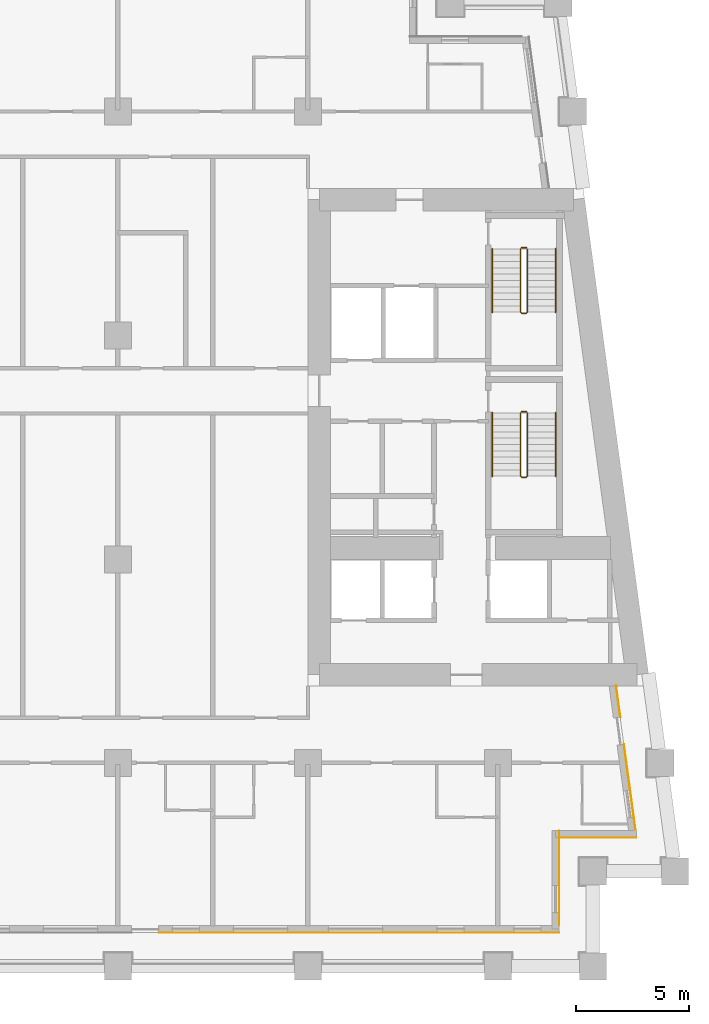
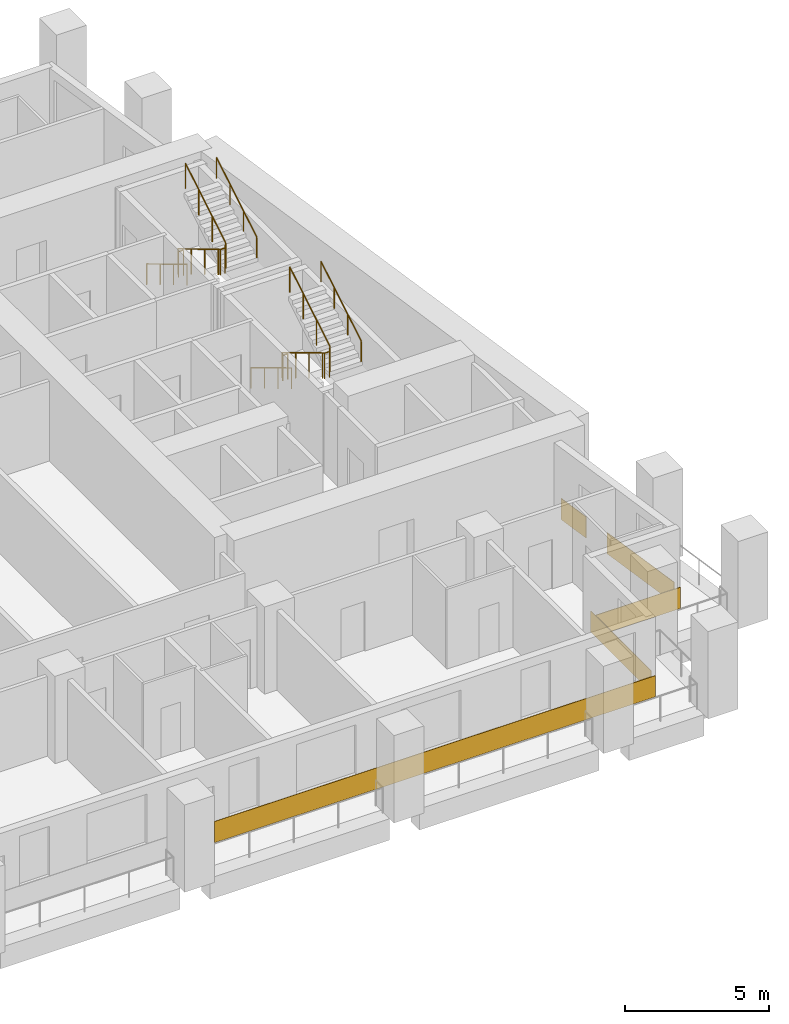
# One storey, part 11 of 13: 8 railings, 5 coverings.
"""IFC4 building model written with IfcOpenShell, lengths in metres."""

from ifc_helpers import new_model, si_unit, direction, frame, origin, origin_2d, place, context, subcontext, project, spatial, rectangle, circle, extrude, material, layer, layer_set, type_object, element, save


model = new_model("IFC4")

# Units and contexts
model_context = context("Model", 3, precision=1e-05, world=origin(), true_north=direction((0.0, 1.0)))
body_context = subcontext(model_context, "Body", "Model", "MODEL_VIEW")
ifc_project = project(units=[si_unit("LENGTHUNIT", "METRE"), si_unit("AREAUNIT", "SQUARE_METRE"), si_unit("VOLUMEUNIT", "CUBIC_METRE"), si_unit("PLANEANGLEUNIT", "RADIAN"), si_unit("MASSUNIT", "GRAM", prefix="KILO")], contexts=[model_context])

# Site, building, storey
site_placement = place(None, origin())
site = spatial("IfcSite", under=ifc_project, at=site_placement, CompositionType="ELEMENT")
building_placement = place(site_placement, origin())
building = spatial("IfcBuilding", under=site, at=building_placement, Name="Candeia Pilgrim Tower and Theatre", CompositionType="ELEMENT")
storey_placement = place(building_placement, frame((0.0, 0.0, 105.800048828125)))
storey = spatial("IfcBuildingStorey", under=building, at=storey_placement, Name="L24", CompositionType="ELEMENT", Elevation=105.800048828125)

# Coverings
ifc_material_1 = material(Name="Glazed ceramic tile red")
ifc_layer = layer(ifc_material_1, 0.02001953125)
ifc_layer_set = layer_set([ifc_layer], Name="Glazed ceramic tile red")
covering_type = type_object("IfcCoveringType", Name="Glazed ceramic tile red", PredefinedType="CLADDING", material=ifc_layer_set)
covering_1_placement = place(storey_placement, frame((128.25, 99.489990234375, 0.0), z_axis=(0.0, 0.0, 1.0), x_axis=(1.0, 0.0, 0.0)))
element("IfcCovering", 1, at=covering_1_placement, inside=storey, type_object=covering_type, Name="Tile cladding red L24", PredefinedType="CLADDING", context=body_context, shape_type="SweptSolid", body=[
    extrude(rectangle(XDim=17.699951171875, YDim=0.02001953125, at=origin_2d()), origin(), (0.0, 0.0, 1.0), 0.89990234375),
])
covering_2_placement = place(storey_placement, frame((137.110107421875, 101.909912109375, 0.0), z_axis=(0.0, 0.0, 1.0), x_axis=(0.0, 1.0, 0.0)))
element("IfcCovering", 2, at=covering_2_placement, inside=storey, type_object=covering_type, Name="Tile cladding red L24", PredefinedType="CLADDING", context=body_context, shape_type="SweptSolid", body=[
    extrude(rectangle(XDim=4.179931640625, YDim=0.02001953125, at=origin_2d()), origin(), (0.0, 0.0, 1.0), 0.89990234375),
])
covering_3_placement = place(storey_placement, frame((138.819580078125, 103.68994140625, 0.0), z_axis=(0.0, 0.0, 1.0), x_axis=(1.0, 0.0, 0.0)))
element("IfcCovering", 3, at=covering_3_placement, inside=storey, type_object=covering_type, Name="Tile cladding red L24", PredefinedType="CLADDING", context=body_context, shape_type="SweptSolid", body=[
    extrude(rectangle(XDim=3.399169921875, YDim=0.02001953125, at=origin_2d()), origin(), (0.0, 0.0, 1.0), 0.89990234375),
])
covering_4_placement = place(storey_placement, frame((140.228515625, 105.933349609375, 0.0), z_axis=(0.0, 0.0, 1.0), x_axis=(-0.133412012145, 0.991060661622, 0.0)))
element("IfcCovering", 4, at=covering_4_placement, inside=storey, type_object=covering_type, Name="Tile cladding red L24", PredefinedType="CLADDING", context=body_context, shape_type="SweptSolid", body=[
    extrude(rectangle(XDim=3.821044921875, YDim=0.02001953125, at=origin_2d()), origin(), (0.0, 0.0, 1.0), 0.89990234375),
])
covering_5_placement = place(storey_placement, frame((139.718994140625, 109.71875, 0.0), z_axis=(0.0, 0.0, 1.0), x_axis=(-0.133412012145, 0.991060661622, 0.0)))
element("IfcCovering", 5, at=covering_5_placement, inside=storey, type_object=covering_type, Name="Tile cladding red L24", PredefinedType="CLADDING", context=body_context, shape_type="SweptSolid", body=[
    extrude(rectangle(XDim=1.41796875, YDim=0.02001953125, at=origin_2d()), origin(), (0.0, 0.0, 1.0), 0.89990234375),
])

# Railings
ifc_material_2 = material(Name="Stainless steel balustrade", Category="steel")
railing_type_1 = type_object("IfcRailingType", Name="RL-GUARD-1100", PredefinedType="GUARDRAIL", material=ifc_material_2)
railing_1_placement = place(storey_placement, frame((135.39794921875, 122.47509765625, 0.168212890625)))
element("IfcRailing", 6, at=railing_1_placement, inside=storey, type_object=railing_type_1, Name="L24 ST3 stair guard 1", PredefinedType="GUARDRAIL", context=body_context, shape_type="SweptSolid", body=[
    extrude(circle(Radius=0.02392578125, at=origin_2d()), frame((0.0, 0.0, 1.076171875), z_axis=(0.0, -0.857275202839, 0.514858452973), x_axis=(1.0, 0.0, 0.0)), (0.0, 0.0, 1.0), 3.26611328125),
    extrude(circle(Radius=0.02392578125, at=origin_2d()), frame((0.0, -2.800048828125, 2.7578125), z_axis=(0.707106781187, -0.707106781187, 0.0), x_axis=(0.707106781187, 0.707106781187, 0.0)), (0.0, 0.0, 1.0), 0.07080078125),
    extrude(circle(Radius=0.02392578125, at=origin_2d()), frame((0.050048828125, -2.85009765625, 2.7578125), z_axis=(1.0, 0.0, 0.0), x_axis=(0.0, 1.0, 0.0)), (0.0, 0.0, 1.0), 0.199951171875),
    extrude(circle(Radius=0.02392578125, at=origin_2d()), frame((0.25, -2.85009765625, 2.7578125), z_axis=(0.274243871929, 0.274243871929, 0.92172696468), x_axis=(-0.707106781187, 0.707106781187, 0.0)), (0.0, 0.0, 1.0), 0.1826171875),
    extrude(circle(Radius=0.02392578125, at=origin_2d()), frame((0.300048828125, -2.800048828125, 2.92578125), z_axis=(0.0, 0.857242210791, 0.514913383045), x_axis=(-1.0, 0.0, 0.0)), (0.0, 0.0, 1.0), 3.266357421875),
    extrude(circle(Radius=0.02099609375, at=origin_2d()), origin(), (0.0, 0.0, 1.0), 1.052001953125),
    extrude(circle(Radius=0.02099609375, at=origin_2d()), frame((0.0, -0.933349609375, 0.560546875)), (0.0, 0.0, 1.0), 1.052001953125),
    extrude(circle(Radius=0.02099609375, at=origin_2d()), frame((0.0, -1.86669921875, 1.12109375)), (0.0, 0.0, 1.0), 1.052001953125),
    extrude(circle(Radius=0.02099609375, at=origin_2d()), frame((0.0, -2.800048828125, 1.681640625)), (0.0, 0.0, 1.0), 1.052001953125),
    extrude(circle(Radius=0.02099609375, at=origin_2d()), frame((0.050048828125, -2.85009765625, 1.681640625)), (0.0, 0.0, 1.0), 1.052001953125),
    extrude(circle(Radius=0.02099609375, at=origin_2d()), frame((0.25, -2.85009765625, 1.681640625)), (0.0, 0.0, 1.0), 1.052001953125),
    extrude(circle(Radius=0.02099609375, at=origin_2d()), frame((0.300048828125, -2.800048828125, 1.849853515625)), (0.0, 0.0, 1.0), 1.052001953125),
    extrude(circle(Radius=0.02099609375, at=origin_2d()), frame((0.300048828125, -1.86669921875, 2.410400390625)), (0.0, 0.0, 1.0), 1.052001953125),
    extrude(circle(Radius=0.02099609375, at=origin_2d()), frame((0.300048828125, -0.933349609375, 2.97119140625)), (0.0, 0.0, 1.0), 1.052001953125),
    extrude(circle(Radius=0.02099609375, at=origin_2d()), frame((0.300048828125, 0.0, 3.53173828125)), (0.0, 0.0, 1.0), 1.052001953125),
])
railing_2_placement = place(storey_placement, frame((135.447998046875, 122.52490234375, 0.0)))
element("IfcRailing", 7, at=railing_2_placement, inside=storey, type_object=railing_type_1, Name="L24 ST3 stair guard 2", PredefinedType="GUARDRAIL", context=body_context, shape_type="SweptSolid", body=[
    extrude(circle(Radius=0.02392578125, at=origin_2d()), frame((0.0, 0.0, 1.076171875), z_axis=(1.0, 0.0, 0.0), x_axis=(0.0, 1.0, 0.0)), (0.0, 0.0, 1.0), 0.199951171875),
    extrude(circle(Radius=0.02099609375, at=origin_2d()), origin(), (0.0, 0.0, 1.0), 1.052001953125),
    extrude(circle(Radius=0.02099609375, at=origin_2d()), frame((0.199951171875, 0.0, 0.0)), (0.0, 0.0, 1.0), 1.052001953125),
])
railing_3_placement = place(storey_placement, frame((135.39794921875, 129.72509765625, 0.168212890625)))
element("IfcRailing", 8, at=railing_3_placement, inside=storey, type_object=railing_type_1, Name="L24 ST4 stair guard 1", PredefinedType="GUARDRAIL", context=body_context, shape_type="SweptSolid", body=[
    extrude(circle(Radius=0.02392578125, at=origin_2d()), frame((0.0, 0.0, 1.076171875), z_axis=(0.0, -0.857275202839, 0.514858452973), x_axis=(1.0, 0.0, 0.0)), (0.0, 0.0, 1.0), 3.26611328125),
    extrude(circle(Radius=0.02392578125, at=origin_2d()), frame((0.0, -2.800048828125, 2.7578125), z_axis=(0.707106781187, -0.707106781187, 0.0), x_axis=(0.707106781187, 0.707106781187, 0.0)), (0.0, 0.0, 1.0), 0.07080078125),
    extrude(circle(Radius=0.02392578125, at=origin_2d()), frame((0.050048828125, -2.85009765625, 2.7578125), z_axis=(1.0, 0.0, 0.0), x_axis=(0.0, 1.0, 0.0)), (0.0, 0.0, 1.0), 0.199951171875),
    extrude(circle(Radius=0.02392578125, at=origin_2d()), frame((0.25, -2.85009765625, 2.7578125), z_axis=(0.274243871929, 0.274243871929, 0.92172696468), x_axis=(-0.707106781187, 0.707106781187, 0.0)), (0.0, 0.0, 1.0), 0.1826171875),
    extrude(circle(Radius=0.02392578125, at=origin_2d()), frame((0.300048828125, -2.800048828125, 2.92578125), z_axis=(0.0, 0.857242210791, 0.514913383045), x_axis=(-1.0, 0.0, 0.0)), (0.0, 0.0, 1.0), 3.266357421875),
    extrude(circle(Radius=0.02099609375, at=origin_2d()), origin(), (0.0, 0.0, 1.0), 1.052001953125),
    extrude(circle(Radius=0.02099609375, at=origin_2d()), frame((0.0, -0.933349609375, 0.560546875)), (0.0, 0.0, 1.0), 1.052001953125),
    extrude(circle(Radius=0.02099609375, at=origin_2d()), frame((0.0, -1.86669921875, 1.12109375)), (0.0, 0.0, 1.0), 1.052001953125),
    extrude(circle(Radius=0.02099609375, at=origin_2d()), frame((0.0, -2.800048828125, 1.681640625)), (0.0, 0.0, 1.0), 1.052001953125),
    extrude(circle(Radius=0.02099609375, at=origin_2d()), frame((0.050048828125, -2.85009765625, 1.681640625)), (0.0, 0.0, 1.0), 1.052001953125),
    extrude(circle(Radius=0.02099609375, at=origin_2d()), frame((0.25, -2.85009765625, 1.681640625)), (0.0, 0.0, 1.0), 1.052001953125),
    extrude(circle(Radius=0.02099609375, at=origin_2d()), frame((0.300048828125, -2.800048828125, 1.849853515625)), (0.0, 0.0, 1.0), 1.052001953125),
    extrude(circle(Radius=0.02099609375, at=origin_2d()), frame((0.300048828125, -1.86669921875, 2.410400390625)), (0.0, 0.0, 1.0), 1.052001953125),
    extrude(circle(Radius=0.02099609375, at=origin_2d()), frame((0.300048828125, -0.933349609375, 2.97119140625)), (0.0, 0.0, 1.0), 1.052001953125),
    extrude(circle(Radius=0.02099609375, at=origin_2d()), frame((0.300048828125, 0.0, 3.53173828125)), (0.0, 0.0, 1.0), 1.052001953125),
])
railing_4_placement = place(storey_placement, frame((135.447998046875, 129.77490234375, 0.0)))
element("IfcRailing", 9, at=railing_4_placement, inside=storey, type_object=railing_type_1, Name="L24 ST4 stair guard 2", PredefinedType="GUARDRAIL", context=body_context, shape_type="SweptSolid", body=[
    extrude(circle(Radius=0.02392578125, at=origin_2d()), frame((0.0, 0.0, 1.076171875), z_axis=(1.0, 0.0, 0.0), x_axis=(0.0, 1.0, 0.0)), (0.0, 0.0, 1.0), 0.199951171875),
    extrude(circle(Radius=0.02099609375, at=origin_2d()), origin(), (0.0, 0.0, 1.0), 1.052001953125),
    extrude(circle(Radius=0.02099609375, at=origin_2d()), frame((0.199951171875, 0.0, 0.0)), (0.0, 0.0, 1.0), 1.052001953125),
])
ifc_material_3 = material(Name="Stainless steel handrail", Category="steel")
railing_type_2 = type_object("IfcRailingType", Name="RL-HANDRAIL-900", PredefinedType="HANDRAIL", material=ifc_material_3)
railing_5_placement = place(storey_placement, frame((134.14794921875, 122.47509765625, 0.168212890625)))
element("IfcRailing", 10, at=railing_5_placement, inside=storey, type_object=railing_type_2, Name="L24 ST3 stair handrail 1", PredefinedType="HANDRAIL", context=body_context, shape_type="SweptSolid", body=[
    extrude(circle(Radius=0.02392578125, at=origin_2d()), frame((0.0, 0.0, 0.8759765625), z_axis=(0.0, -0.857275202839, 0.514858452973), x_axis=(1.0, 0.0, 0.0)), (0.0, 0.0, 1.0), 3.26611328125),
    extrude(circle(Radius=0.02099609375, at=origin_2d()), origin(), (0.0, 0.0, 1.0), 0.851806640625),
    extrude(circle(Radius=0.02099609375, at=origin_2d()), frame((0.0, -0.933349609375, 0.560546875)), (0.0, 0.0, 1.0), 0.851806640625),
    extrude(circle(Radius=0.02099609375, at=origin_2d()), frame((0.0, -1.86669921875, 1.12109375)), (0.0, 0.0, 1.0), 0.851806640625),
    extrude(circle(Radius=0.02099609375, at=origin_2d()), frame((0.0, -2.800048828125, 1.681640625)), (0.0, 0.0, 1.0), 0.851806640625),
])
railing_6_placement = place(storey_placement, frame((136.947998046875, 119.675048828125, 2.01806640625)))
element("IfcRailing", 11, at=railing_6_placement, inside=storey, type_object=railing_type_2, Name="L24 ST3 stair handrail 2", PredefinedType="HANDRAIL", context=body_context, shape_type="SweptSolid", body=[
    extrude(circle(Radius=0.02392578125, at=origin_2d()), frame((0.0, 0.0, 0.8759765625), z_axis=(0.0, 0.857242210791, 0.514913383045), x_axis=(-1.0, 0.0, 0.0)), (0.0, 0.0, 1.0), 3.266357421875),
    extrude(circle(Radius=0.02099609375, at=origin_2d()), origin(), (0.0, 0.0, 1.0), 0.851806640625),
    extrude(circle(Radius=0.02099609375, at=origin_2d()), frame((0.0, 0.933349609375, 0.560546875)), (0.0, 0.0, 1.0), 0.851806640625),
    extrude(circle(Radius=0.02099609375, at=origin_2d()), frame((0.0, 1.86669921875, 1.121337890625)), (0.0, 0.0, 1.0), 0.851806640625),
    extrude(circle(Radius=0.02099609375, at=origin_2d()), frame((0.0, 2.800048828125, 1.681884765625)), (0.0, 0.0, 1.0), 0.851806640625),
])
railing_7_placement = place(storey_placement, frame((134.14794921875, 129.72509765625, 0.168212890625)))
element("IfcRailing", 12, at=railing_7_placement, inside=storey, type_object=railing_type_2, Name="L24 ST4 stair handrail 1", PredefinedType="HANDRAIL", context=body_context, shape_type="SweptSolid", body=[
    extrude(circle(Radius=0.02392578125, at=origin_2d()), frame((0.0, 0.0, 0.8759765625), z_axis=(0.0, -0.857275202839, 0.514858452973), x_axis=(1.0, 0.0, 0.0)), (0.0, 0.0, 1.0), 3.26611328125),
    extrude(circle(Radius=0.02099609375, at=origin_2d()), origin(), (0.0, 0.0, 1.0), 0.851806640625),
    extrude(circle(Radius=0.02099609375, at=origin_2d()), frame((0.0, -0.933349609375, 0.560546875)), (0.0, 0.0, 1.0), 0.851806640625),
    extrude(circle(Radius=0.02099609375, at=origin_2d()), frame((0.0, -1.86669921875, 1.12109375)), (0.0, 0.0, 1.0), 0.851806640625),
    extrude(circle(Radius=0.02099609375, at=origin_2d()), frame((0.0, -2.800048828125, 1.681640625)), (0.0, 0.0, 1.0), 0.851806640625),
])
railing_8_placement = place(storey_placement, frame((136.947998046875, 126.925048828125, 2.01806640625)))
element("IfcRailing", 13, at=railing_8_placement, inside=storey, type_object=railing_type_2, Name="L24 ST4 stair handrail 2", PredefinedType="HANDRAIL", context=body_context, shape_type="SweptSolid", body=[
    extrude(circle(Radius=0.02392578125, at=origin_2d()), frame((0.0, 0.0, 0.8759765625), z_axis=(0.0, 0.857242210791, 0.514913383045), x_axis=(-1.0, 0.0, 0.0)), (0.0, 0.0, 1.0), 3.266357421875),
    extrude(circle(Radius=0.02099609375, at=origin_2d()), origin(), (0.0, 0.0, 1.0), 0.851806640625),
    extrude(circle(Radius=0.02099609375, at=origin_2d()), frame((0.0, 0.933349609375, 0.560546875)), (0.0, 0.0, 1.0), 0.851806640625),
    extrude(circle(Radius=0.02099609375, at=origin_2d()), frame((0.0, 1.86669921875, 1.121337890625)), (0.0, 0.0, 1.0), 0.851806640625),
    extrude(circle(Radius=0.02099609375, at=origin_2d()), frame((0.0, 2.800048828125, 1.681884765625)), (0.0, 0.0, 1.0), 0.851806640625),
])

save(model, "model.ifc")
